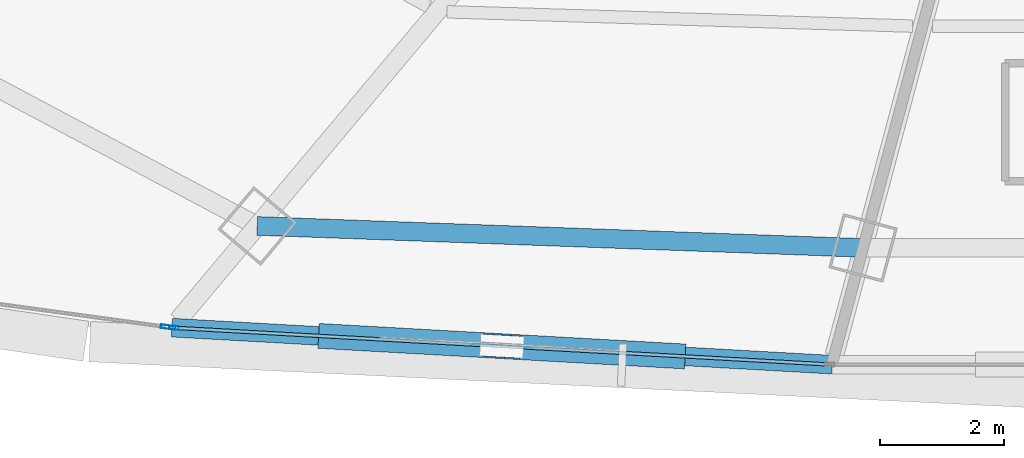
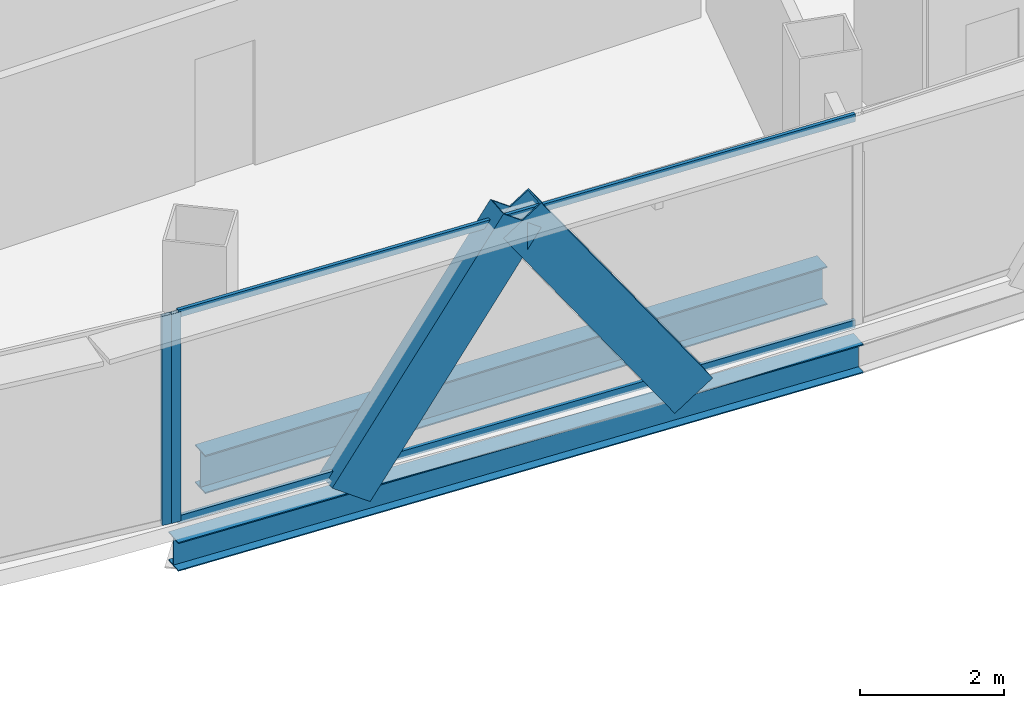
# One storey, part 6 of 37: 6 members, 2 beams, 2 elements without a shape of their own.
"""IFC4 building model written with IfcOpenShell, lengths in metres."""

from ifc_helpers import new_model, si_unit, direction, frame, origin, origin_2d, place, context, subcontext, project, spatial, hollow_rectangle, i_section, extrude, source, transform, mapped, material, layer, layer_set, material_profile, profile_set, type_object, element, aggregate, save


model = new_model("IFC4")

# Units and contexts
model_context = context("Model", 3, precision=1e-05, world=origin(), true_north=direction((0.0, 1.0)))
body_context = subcontext(model_context, "Body", "Model", "MODEL_VIEW")
ifc_project = project(units=[si_unit("LENGTHUNIT", "METRE"), si_unit("AREAUNIT", "SQUARE_METRE"), si_unit("VOLUMEUNIT", "CUBIC_METRE"), si_unit("PLANEANGLEUNIT", "RADIAN"), si_unit("MASSUNIT", "GRAM", prefix="KILO"), si_unit("THERMODYNAMICTEMPERATUREUNIT", "KELVIN"), si_unit("POWERUNIT", "WATT")], contexts=[model_context])

# Site, building, storey
site_placement = place(None, origin())
site = spatial("IfcSite", under=ifc_project, at=site_placement, CompositionType="ELEMENT")
building_placement = place(site_placement, origin())
building = spatial("IfcBuilding", under=site, at=building_placement, Name="Yunzhuo Pagoda Commons", CompositionType="ELEMENT")
storey_placement = place(building_placement, frame((0.0, 0.0, 196.159912109375)))
storey = spatial("IfcBuildingStorey", under=building, at=storey_placement, Name="L49", CompositionType="ELEMENT", Elevation=196.159912109375)

# Beams
ifc_material_1 = material(Name="Structural steel Q355B", Category="steel")
ifc_material_profile_1 = material_profile(ifc_material_1, i_section(OverallWidth=0.300048828125, OverallDepth=0.64990234375, WebThickness=0.012939453125, FlangeThickness=0.02197265625, at=origin_2d()), Name="Structural steel Q355B")
ifc_profile_set_1 = profile_set([ifc_material_profile_1], Name="Structural steel Q355B")
beam_type_1 = type_object("IfcBeamType", Name="B-RG2 Beam HN 650x300x13x22", PredefinedType="BEAM", material=ifc_profile_set_1)
shared_shape_1 = source(origin(), body_context, "Body", "SweptSolid", [
    extrude(i_section(OverallWidth=0.300048828125, OverallDepth=0.64990234375, WebThickness=0.012939453125, FlangeThickness=0.02197265625, at=origin_2d()), origin(), (0.0, 0.0, 1.0), 9.755126953125),
])
beam_1_placement = place(storey_placement, frame((33.538818359375, 16.4658203125, -0.5849609375), z_axis=(0.999343161351, -0.036238734258, 0.0), x_axis=(0.036238734258, 0.999343161351, 0.0)))
element("IfcBeam", 1, at=beam_1_placement, inside=storey, type_object=beam_type_1, Name="L49 column-ring beam 1", PredefinedType="BEAM", context=body_context, shape_type="MappedRepresentation", body=[
    mapped(shared_shape_1, transform((0.0, 0.0, 0.0), scale=1.0)),
])
ifc_material_profile_2 = material_profile(ifc_material_1, i_section(OverallWidth=0.300048828125, OverallDepth=0.488037109375, WebThickness=0.010986328125, FlangeThickness=0.01806640625, at=origin_2d()), Name="Structural steel Q355B")
ifc_profile_set_2 = profile_set([ifc_material_profile_2], Name="Structural steel Q355B")
beam_type_2 = type_object("IfcBeamType", Name="B-SP1 Beam HM 488x300x11x18", PredefinedType="BEAM", material=ifc_profile_set_2)
shared_shape_2 = source(origin(), body_context, "Body", "SweptSolid", [
    extrude(i_section(OverallWidth=0.300048828125, OverallDepth=0.488037109375, WebThickness=0.010986328125, FlangeThickness=0.01806640625, at=origin_2d()), origin(), (0.0, 0.0, 1.0), 10.635498046875),
])
beam_2_placement = place(storey_placement, frame((32.165283203125, 14.8291015625, -0.50390625), z_axis=(0.998431472294, -0.055987455131, 0.0), x_axis=(0.055987455131, 0.998431472294, 0.0)))
element("IfcBeam", 2, at=beam_2_placement, inside=storey, type_object=beam_type_2, Name="L49 facade edge spandrel beam F1.1", PredefinedType="BEAM", context=body_context, shape_type="MappedRepresentation", body=[
    mapped(shared_shape_2, transform((0.0, 0.0, 0.0), scale=1.0)),
])

# Members
ifc_material_profile_3 = material_profile(ifc_material_1, hollow_rectangle(XDim=0.39990234375, YDim=0.719970703125, WallThickness=0.02392578125, at=origin_2d()), Name="Structural steel Q355B")
ifc_profile_set_3 = profile_set([ifc_material_profile_3], Name="Structural steel Q355B")
member_type_1 = type_object("IfcMemberType", Name="M-DL2 Brace BOX 720x400x24", PredefinedType="BRACE", material=ifc_profile_set_3)
shared_shape_3 = source(origin(), body_context, "Body", "SweptSolid", [
    extrude(hollow_rectangle(XDim=0.39990234375, YDim=0.719970703125, WallThickness=0.02392578125, at=origin_2d()), origin(), (0.0, 0.0, 1.0), 4.6376953125),
])
member_1_placement = place(storey_placement, frame((34.820068359375, 14.68017578125, -0.260009765625), z_axis=(0.572371416093, -0.032111336689, 0.819365500919), x_axis=(0.056014189589, 0.99842997279, 0.0)))
element("IfcMember", 3, at=member_1_placement, inside=storey, type_object=member_type_1, Name="L49 facade diamond brace F1.1L", PredefinedType="BRACE", context=body_context, shape_type="MappedRepresentation", body=[
    mapped(shared_shape_3, transform((0.0, 0.0, 0.0), scale=1.0)),
])
shared_shape_4 = source(origin(), body_context, "Body", "SweptSolid", [
    extrude(hollow_rectangle(XDim=0.39990234375, YDim=0.719970703125, WallThickness=0.02392578125, at=origin_2d()), origin(), (0.0, 0.0, 1.0), 4.63818359375),
])
member_2_placement = place(storey_placement, frame((40.129638671875, 14.38232421875, -0.260009765625), z_axis=(-0.57244220108, 0.032109401624, 0.81931612504), x_axis=(-0.056003920442, -0.998430548859, 0.0)))
element("IfcMember", 4, at=member_2_placement, inside=storey, type_object=member_type_1, Name="L49 facade diamond brace F1.1R", PredefinedType="BRACE", context=body_context, shape_type="MappedRepresentation", body=[
    mapped(shared_shape_4, transform((0.0, 0.0, 0.0), scale=1.0)),
])

# Curtain wall, member
ifc_material_2 = material(Name="Anodized aluminium 6063-T6", Category="aluminium")
ifc_layer = layer(ifc_material_2, 0.14990234375)
ifc_layer_set = layer_set([ifc_layer], Name="Anodized aluminium 6063-T6")
curtain_wall_type = type_object("IfcCurtainWallType", Name="CW-MID Mid-Zone Ribbon Curtain Wall", PredefinedType="NOTDEFINED", material=ifc_layer_set)
curtain_wall_1_placement = place(storey_placement, origin())
curtain_wall_1 = element("IfcCurtainWall", 5, at=curtain_wall_1_placement, inside=storey, type_object=curtain_wall_type, Name="L49 curtain wall CW-L49-F1B2", PredefinedType="NOTDEFINED")
ifc_material_profile_4 = material_profile(ifc_material_2, hollow_rectangle(XDim=0.06005859375, YDim=0.14990234375, WallThickness=0.00390625, at=origin_2d()), Name="Anodized aluminium 6063-T6")
ifc_profile_set_4 = profile_set([ifc_material_profile_4], Name="Anodized aluminium 6063-T6")
member_type_2 = type_object("IfcMemberType", Name="CW-MID-M Mullion RHS 150x60x4", PredefinedType="MULLION", material=ifc_profile_set_4)
shared_shape_5 = source(origin(), body_context, "Body", "SweptSolid", [
    extrude(hollow_rectangle(XDim=0.06005859375, YDim=0.14990234375, WallThickness=0.00390625, at=origin_2d()), origin(), (0.0, 0.0, 1.0), 3.5400390625),
])
member_3_placement = place(storey_placement, frame((32.195556640625, 14.827392578125, 0.0), z_axis=(0.0, 0.0, 1.0), x_axis=(0.055982959182, 0.998431724396, 0.0)))
member_3 = element("IfcMember", 6, at=member_3_placement, type_object=member_type_2, Name="CW mullion 1", PredefinedType="MULLION", context=body_context, shape_type="MappedRepresentation", body=[
    mapped(shared_shape_5, transform((0.0, 0.0, 0.0), scale=1.0)),
])

curtain_wall_2_placement = place(storey_placement, origin())
curtain_wall_2 = element("IfcCurtainWall", 7, at=curtain_wall_2_placement, inside=storey, type_object=curtain_wall_type, Name="L49 curtain wall CW-L49-F1B1", PredefinedType="NOTDEFINED")
member_4_placement = place(storey_placement, frame((32.061279296875, 14.84326171875, 0.0), z_axis=(0.0, 0.0, 1.0), x_axis=(0.135312015534, 0.990803037163, 0.0)))
member_4 = element("IfcMember", 8, at=member_4_placement, type_object=member_type_2, Name="CW mullion 2", PredefinedType="MULLION", context=body_context, shape_type="MappedRepresentation", body=[
    mapped(shared_shape_5, transform((0.0, 0.0, 0.0), scale=1.0)),
])
aggregate(curtain_wall_2, [member_4])

# Member
ifc_material_profile_5 = material_profile(ifc_material_2, hollow_rectangle(XDim=0.054931640625, YDim=0.1298828125, WallThickness=0.00341796875, at=origin_2d()), Name="Anodized aluminium 6063-T6")
ifc_profile_set_5 = profile_set([ifc_material_profile_5], Name="Anodized aluminium 6063-T6")
member_type_3 = type_object("IfcMemberType", Name="CW-MID-T Transom RHS 130x55x3.5", PredefinedType="USERDEFINED", material=ifc_profile_set_5)
shared_shape_6 = source(origin(), body_context, "Body", "SweptSolid", [
    extrude(hollow_rectangle(XDim=0.054931640625, YDim=0.1298828125, WallThickness=0.00341796875, at=origin_2d()), origin(), (0.0, 0.0, 1.0), 10.515380859375),
])
member_5_placement = place(storey_placement, frame((32.22509765625, 14.82568359375, 0.027587890625), z_axis=(0.998433375605, -0.055953502819, 0.0), x_axis=(0.055953502819, 0.998433375605, 0.0)))
member_5 = element("IfcMember", 9, at=member_5_placement, type_object=member_type_3, Name="CW transom 1.1", ObjectType="TRANSOM", PredefinedType="USERDEFINED", context=body_context, shape_type="MappedRepresentation", body=[
    mapped(shared_shape_6, transform((0.0, 0.0, 0.0), scale=1.0)),
])

member_6_placement = place(storey_placement, frame((32.22509765625, 14.82568359375, 3.5126953125), z_axis=(0.998433375605, -0.055953502819, 0.0), x_axis=(0.055953502819, 0.998433375605, 0.0)))
member_6 = element("IfcMember", 10, at=member_6_placement, type_object=member_type_3, Name="CW transom 1.2", ObjectType="TRANSOM", PredefinedType="USERDEFINED", context=body_context, shape_type="MappedRepresentation", body=[
    mapped(shared_shape_6, transform((0.0, 0.0, 0.0), scale=1.0)),
])

aggregate(curtain_wall_1, [member_3, member_5, member_6])

save(model, "model.ifc")
